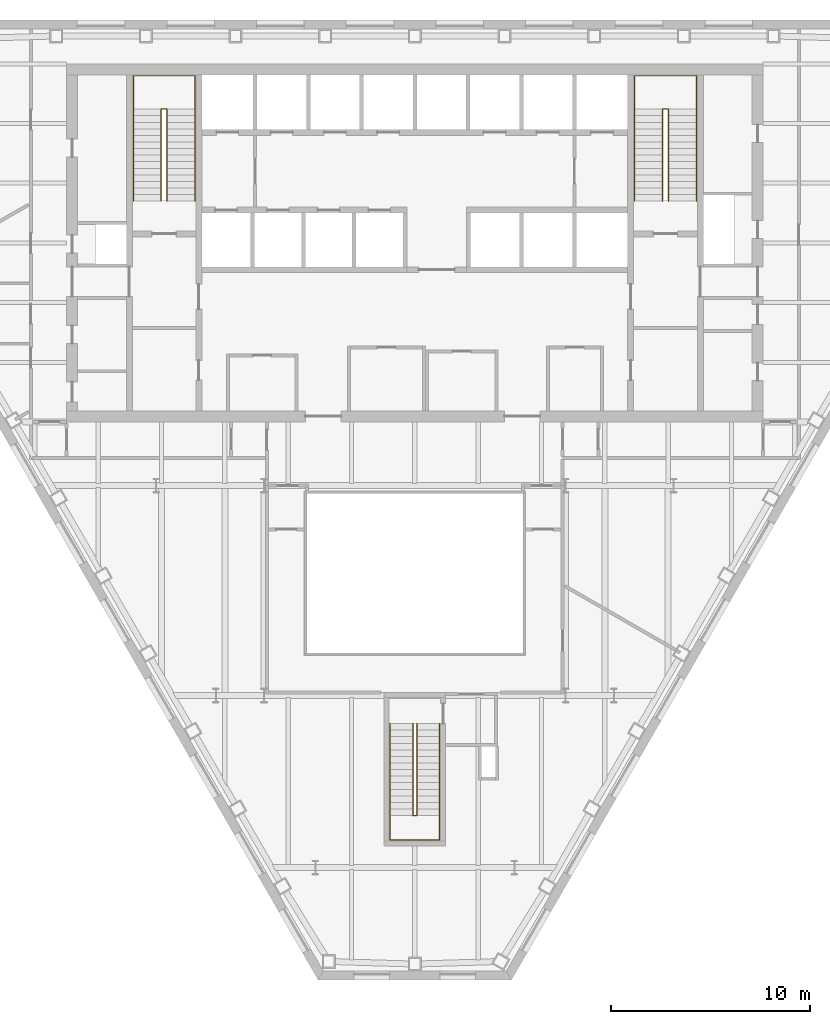
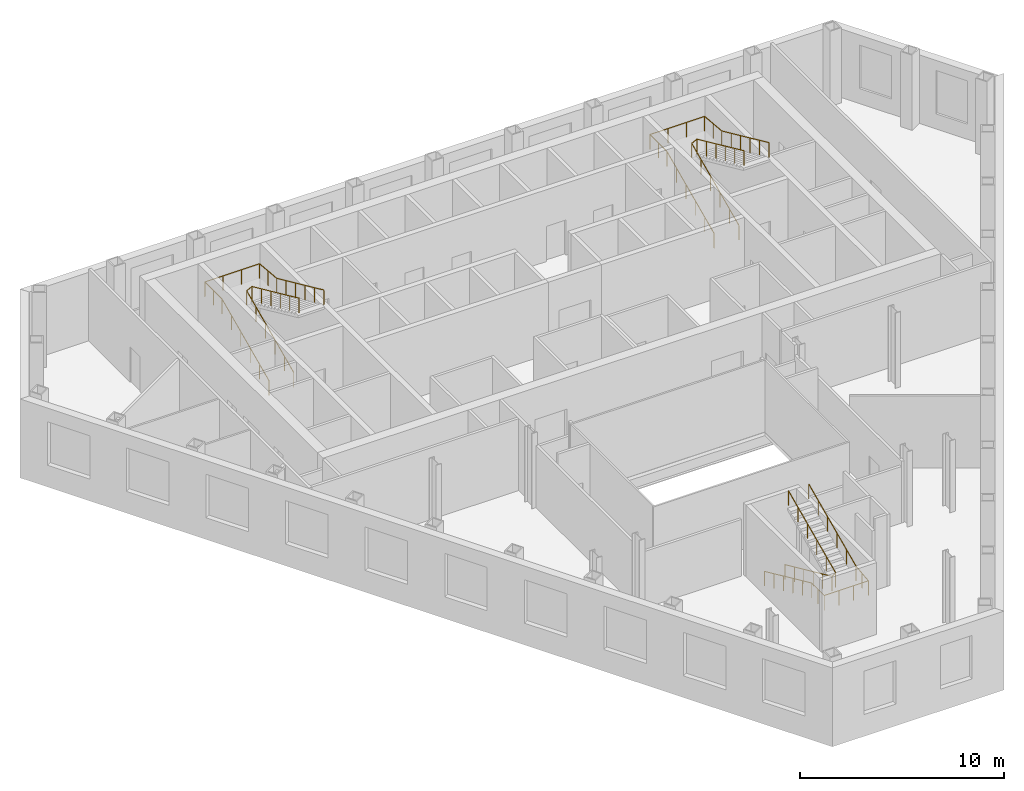
# One storey, part 11 of 11: 6 railings.
"""IFC4 building model written with IfcOpenShell, lengths in metres."""

from ifc_helpers import new_model, si_unit, direction, frame, origin, origin_2d, place, context, subcontext, project, spatial, circle, extrude, material, type_object, element, save


model = new_model("IFC4")

# Units and contexts
model_context = context("Model", 3, precision=1e-05, world=origin(), true_north=direction((0.0, 1.0)))
body_context = subcontext(model_context, "Body", "Model", "MODEL_VIEW")
ifc_project = project(units=[si_unit("LENGTHUNIT", "METRE"), si_unit("AREAUNIT", "SQUARE_METRE"), si_unit("VOLUMEUNIT", "CUBIC_METRE"), si_unit("PLANEANGLEUNIT", "RADIAN"), si_unit("MASSUNIT", "GRAM", prefix="KILO")], contexts=[model_context])

# Site, building, storey
site_placement = place(None, origin())
site = spatial("IfcSite", under=ifc_project, at=site_placement, CompositionType="ELEMENT")
building_placement = place(site_placement, origin())
building = spatial("IfcBuilding", under=site, at=building_placement, Name="Njiva Tower", CompositionType="ELEMENT")
storey_placement = place(building_placement, frame((0.0, 0.0, 120.3)))
storey = spatial("IfcBuildingStorey", under=building, at=storey_placement, Name="L25", CompositionType="ELEMENT", Elevation=120.3)

# Railings
ifc_material = material(Name="Stainless steel", Category="steel")
railing_type = type_object("IfcRailingType", Name="RL1 Stair handrail 900", PredefinedType="HANDRAIL", material=ifc_material)
railing_1_placement = place(storey_placement, frame((-14.15, 11.1, 0.15)))
element("IfcRailing", 1, at=railing_1_placement, inside=storey, type_object=railing_type, Name="Stair A handrail", PredefinedType="HANDRAIL", context=body_context, shape_type="SweptSolid", body=[
    extrude(circle(Radius=0.024, at=origin_2d()), frame((0.0, 0.0, 0.876), z_axis=(0.0, 0.910366477463, 0.413802944301), x_axis=(-1.0, 0.0, 0.0)), (0.0, 0.0, 1.0), 5.0749),
    extrude(circle(Radius=0.024, at=origin_2d()), frame((0.0, 4.62, 2.976), z_axis=(0.0, 1.0, 0.0), x_axis=(-1.0, 0.0, 0.0)), (0.0, 0.0, 1.0), 1.68),
    extrude(circle(Radius=0.024, at=origin_2d()), frame((0.0, 6.3, 2.976), z_axis=(1.0, 0.0, 0.0), x_axis=(0.0, 1.0, 0.0)), (0.0, 0.0, 1.0), 3.1),
    extrude(circle(Radius=0.024, at=origin_2d()), frame((3.1, 6.3, 2.976), z_axis=(0.0, -0.996037705314, 0.088931937975), x_axis=(1.0, 0.0, 0.0)), (0.0, 0.0, 1.0), 1.6867),
    extrude(circle(Radius=0.024, at=origin_2d()), frame((3.1, 4.62, 3.126), z_axis=(0.0, -0.910366477463, 0.413802944301), x_axis=(1.0, 0.0, 0.0)), (0.0, 0.0, 1.0), 5.0749),
    extrude(circle(Radius=0.021, at=origin_2d()), origin(), (0.0, 0.0, 1.0), 0.852),
    extrude(circle(Radius=0.021, at=origin_2d()), frame((0.0, 0.924, 0.42)), (0.0, 0.0, 1.0), 0.852),
    extrude(circle(Radius=0.021, at=origin_2d()), frame((0.0, 1.848, 0.84)), (0.0, 0.0, 1.0), 0.852),
    extrude(circle(Radius=0.021, at=origin_2d()), frame((0.0, 2.772, 1.26)), (0.0, 0.0, 1.0), 0.852),
    extrude(circle(Radius=0.021, at=origin_2d()), frame((0.0, 3.696, 1.68)), (0.0, 0.0, 1.0), 0.852),
    extrude(circle(Radius=0.021, at=origin_2d()), frame((0.0, 4.62, 2.1)), (0.0, 0.0, 1.0), 0.852),
    extrude(circle(Radius=0.021, at=origin_2d()), frame((0.0, 5.46, 2.1)), (0.0, 0.0, 1.0), 0.852),
    extrude(circle(Radius=0.021, at=origin_2d()), frame((0.0, 6.3, 2.1)), (0.0, 0.0, 1.0), 0.852),
    extrude(circle(Radius=0.021, at=origin_2d()), frame((1.0333, 6.3, 2.1)), (0.0, 0.0, 1.0), 0.852),
    extrude(circle(Radius=0.021, at=origin_2d()), frame((2.0667, 6.3, 2.1)), (0.0, 0.0, 1.0), 0.852),
    extrude(circle(Radius=0.021, at=origin_2d()), frame((3.1, 6.3, 2.1)), (0.0, 0.0, 1.0), 0.852),
    extrude(circle(Radius=0.021, at=origin_2d()), frame((3.1, 5.46, 2.175)), (0.0, 0.0, 1.0), 0.852),
    extrude(circle(Radius=0.021, at=origin_2d()), frame((3.1, 4.62, 2.25)), (0.0, 0.0, 1.0), 0.852),
    extrude(circle(Radius=0.021, at=origin_2d()), frame((3.1, 3.696, 2.67)), (0.0, 0.0, 1.0), 0.852),
    extrude(circle(Radius=0.021, at=origin_2d()), frame((3.1, 2.772, 3.09)), (0.0, 0.0, 1.0), 0.852),
    extrude(circle(Radius=0.021, at=origin_2d()), frame((3.1, 1.848, 3.51)), (0.0, 0.0, 1.0), 0.852),
    extrude(circle(Radius=0.021, at=origin_2d()), frame((3.1, 0.924, 3.93)), (0.0, 0.0, 1.0), 0.852),
    extrude(circle(Radius=0.021, at=origin_2d()), frame((3.1, 0.0, 4.35)), (0.0, 0.0, 1.0), 0.852),
])
railing_2_placement = place(storey_placement, frame((-12.75, 11.1, 0.15)))
element("IfcRailing", 2, at=railing_2_placement, inside=storey, type_object=railing_type, Name="Stair A handrail", PredefinedType="HANDRAIL", context=body_context, shape_type="SweptSolid", body=[
    extrude(circle(Radius=0.024, at=origin_2d()), frame((0.0, 0.0, 0.876), z_axis=(0.0, 0.910366477463, 0.413802944301), x_axis=(-1.0, 0.0, 0.0)), (0.0, 0.0, 1.0), 5.0749),
    extrude(circle(Radius=0.024, at=origin_2d()), frame((0.0, 4.62, 2.976), z_axis=(0.894427191, 0.0, 0.4472135955), x_axis=(0.0, 1.0, 0.0)), (0.0, 0.0, 1.0), 0.3354),
    extrude(circle(Radius=0.024, at=origin_2d()), frame((0.3, 4.62, 3.126), z_axis=(0.0, -0.910366477463, 0.413802944301), x_axis=(1.0, 0.0, 0.0)), (0.0, 0.0, 1.0), 5.0749),
    extrude(circle(Radius=0.021, at=origin_2d()), origin(), (0.0, 0.0, 1.0), 0.852),
    extrude(circle(Radius=0.021, at=origin_2d()), frame((0.0, 0.924, 0.42)), (0.0, 0.0, 1.0), 0.852),
    extrude(circle(Radius=0.021, at=origin_2d()), frame((0.0, 1.848, 0.84)), (0.0, 0.0, 1.0), 0.852),
    extrude(circle(Radius=0.021, at=origin_2d()), frame((0.0, 2.772, 1.26)), (0.0, 0.0, 1.0), 0.852),
    extrude(circle(Radius=0.021, at=origin_2d()), frame((0.0, 3.696, 1.68)), (0.0, 0.0, 1.0), 0.852),
    extrude(circle(Radius=0.021, at=origin_2d()), frame((0.0, 4.62, 2.1)), (0.0, 0.0, 1.0), 0.852),
    extrude(circle(Radius=0.021, at=origin_2d()), frame((0.3, 4.62, 2.25)), (0.0, 0.0, 1.0), 0.852),
    extrude(circle(Radius=0.021, at=origin_2d()), frame((0.3, 3.696, 2.67)), (0.0, 0.0, 1.0), 0.852),
    extrude(circle(Radius=0.021, at=origin_2d()), frame((0.3, 2.772, 3.09)), (0.0, 0.0, 1.0), 0.852),
    extrude(circle(Radius=0.021, at=origin_2d()), frame((0.3, 1.848, 3.51)), (0.0, 0.0, 1.0), 0.852),
    extrude(circle(Radius=0.021, at=origin_2d()), frame((0.3, 0.924, 3.93)), (0.0, 0.0, 1.0), 0.852),
    extrude(circle(Radius=0.021, at=origin_2d()), frame((0.3, 0.0, 4.35)), (0.0, 0.0, 1.0), 0.852),
])
railing_3_placement = place(storey_placement, frame((11.05, 11.1, 0.15)))
element("IfcRailing", 3, at=railing_3_placement, inside=storey, type_object=railing_type, Name="Stair B handrail", PredefinedType="HANDRAIL", context=body_context, shape_type="SweptSolid", body=[
    extrude(circle(Radius=0.024, at=origin_2d()), frame((0.0, 0.0, 0.876), z_axis=(0.0, 0.910366477463, 0.413802944301), x_axis=(-1.0, 0.0, 0.0)), (0.0, 0.0, 1.0), 5.0749),
    extrude(circle(Radius=0.024, at=origin_2d()), frame((0.0, 4.62, 2.976), z_axis=(0.0, 1.0, 0.0), x_axis=(-1.0, 0.0, 0.0)), (0.0, 0.0, 1.0), 1.68),
    extrude(circle(Radius=0.024, at=origin_2d()), frame((0.0, 6.3, 2.976), z_axis=(1.0, 0.0, 0.0), x_axis=(0.0, 1.0, 0.0)), (0.0, 0.0, 1.0), 3.1),
    extrude(circle(Radius=0.024, at=origin_2d()), frame((3.1, 6.3, 2.976), z_axis=(0.0, -0.996037705314, 0.088931937975), x_axis=(1.0, 0.0, 0.0)), (0.0, 0.0, 1.0), 1.6867),
    extrude(circle(Radius=0.024, at=origin_2d()), frame((3.1, 4.62, 3.126), z_axis=(0.0, -0.910366477463, 0.413802944301), x_axis=(1.0, 0.0, 0.0)), (0.0, 0.0, 1.0), 5.0749),
    extrude(circle(Radius=0.021, at=origin_2d()), origin(), (0.0, 0.0, 1.0), 0.852),
    extrude(circle(Radius=0.021, at=origin_2d()), frame((0.0, 0.924, 0.42)), (0.0, 0.0, 1.0), 0.852),
    extrude(circle(Radius=0.021, at=origin_2d()), frame((0.0, 1.848, 0.84)), (0.0, 0.0, 1.0), 0.852),
    extrude(circle(Radius=0.021, at=origin_2d()), frame((0.0, 2.772, 1.26)), (0.0, 0.0, 1.0), 0.852),
    extrude(circle(Radius=0.021, at=origin_2d()), frame((0.0, 3.696, 1.68)), (0.0, 0.0, 1.0), 0.852),
    extrude(circle(Radius=0.021, at=origin_2d()), frame((0.0, 4.62, 2.1)), (0.0, 0.0, 1.0), 0.852),
    extrude(circle(Radius=0.021, at=origin_2d()), frame((0.0, 5.46, 2.1)), (0.0, 0.0, 1.0), 0.852),
    extrude(circle(Radius=0.021, at=origin_2d()), frame((0.0, 6.3, 2.1)), (0.0, 0.0, 1.0), 0.852),
    extrude(circle(Radius=0.021, at=origin_2d()), frame((1.0333, 6.3, 2.1)), (0.0, 0.0, 1.0), 0.852),
    extrude(circle(Radius=0.021, at=origin_2d()), frame((2.0667, 6.3, 2.1)), (0.0, 0.0, 1.0), 0.852),
    extrude(circle(Radius=0.021, at=origin_2d()), frame((3.1, 6.3, 2.1)), (0.0, 0.0, 1.0), 0.852),
    extrude(circle(Radius=0.021, at=origin_2d()), frame((3.1, 5.46, 2.175)), (0.0, 0.0, 1.0), 0.852),
    extrude(circle(Radius=0.021, at=origin_2d()), frame((3.1, 4.62, 2.25)), (0.0, 0.0, 1.0), 0.852),
    extrude(circle(Radius=0.021, at=origin_2d()), frame((3.1, 3.696, 2.67)), (0.0, 0.0, 1.0), 0.852),
    extrude(circle(Radius=0.021, at=origin_2d()), frame((3.1, 2.772, 3.09)), (0.0, 0.0, 1.0), 0.852),
    extrude(circle(Radius=0.021, at=origin_2d()), frame((3.1, 1.848, 3.51)), (0.0, 0.0, 1.0), 0.852),
    extrude(circle(Radius=0.021, at=origin_2d()), frame((3.1, 0.924, 3.93)), (0.0, 0.0, 1.0), 0.852),
    extrude(circle(Radius=0.021, at=origin_2d()), frame((3.1, 0.0, 4.35)), (0.0, 0.0, 1.0), 0.852),
])
railing_4_placement = place(storey_placement, frame((12.45, 11.1, 0.15)))
element("IfcRailing", 4, at=railing_4_placement, inside=storey, type_object=railing_type, Name="Stair B handrail", PredefinedType="HANDRAIL", context=body_context, shape_type="SweptSolid", body=[
    extrude(circle(Radius=0.024, at=origin_2d()), frame((0.0, 0.0, 0.876), z_axis=(0.0, 0.910366477463, 0.413802944301), x_axis=(-1.0, 0.0, 0.0)), (0.0, 0.0, 1.0), 5.0749),
    extrude(circle(Radius=0.024, at=origin_2d()), frame((0.0, 4.62, 2.976), z_axis=(0.894427191, 0.0, 0.4472135955), x_axis=(0.0, 1.0, 0.0)), (0.0, 0.0, 1.0), 0.3354),
    extrude(circle(Radius=0.024, at=origin_2d()), frame((0.3, 4.62, 3.126), z_axis=(0.0, -0.910366477463, 0.413802944301), x_axis=(1.0, 0.0, 0.0)), (0.0, 0.0, 1.0), 5.0749),
    extrude(circle(Radius=0.021, at=origin_2d()), origin(), (0.0, 0.0, 1.0), 0.852),
    extrude(circle(Radius=0.021, at=origin_2d()), frame((0.0, 0.924, 0.42)), (0.0, 0.0, 1.0), 0.852),
    extrude(circle(Radius=0.021, at=origin_2d()), frame((0.0, 1.848, 0.84)), (0.0, 0.0, 1.0), 0.852),
    extrude(circle(Radius=0.021, at=origin_2d()), frame((0.0, 2.772, 1.26)), (0.0, 0.0, 1.0), 0.852),
    extrude(circle(Radius=0.021, at=origin_2d()), frame((0.0, 3.696, 1.68)), (0.0, 0.0, 1.0), 0.852),
    extrude(circle(Radius=0.021, at=origin_2d()), frame((0.0, 4.62, 2.1)), (0.0, 0.0, 1.0), 0.852),
    extrude(circle(Radius=0.021, at=origin_2d()), frame((0.3, 4.62, 2.25)), (0.0, 0.0, 1.0), 0.852),
    extrude(circle(Radius=0.021, at=origin_2d()), frame((0.3, 3.696, 2.67)), (0.0, 0.0, 1.0), 0.852),
    extrude(circle(Radius=0.021, at=origin_2d()), frame((0.3, 2.772, 3.09)), (0.0, 0.0, 1.0), 0.852),
    extrude(circle(Radius=0.021, at=origin_2d()), frame((0.3, 1.848, 3.51)), (0.0, 0.0, 1.0), 0.852),
    extrude(circle(Radius=0.021, at=origin_2d()), frame((0.3, 0.924, 3.93)), (0.0, 0.0, 1.0), 0.852),
    extrude(circle(Radius=0.021, at=origin_2d()), frame((0.3, 0.0, 4.35)), (0.0, 0.0, 1.0), 0.852),
])
railing_5_placement = place(storey_placement, frame((-1.25, -15.16, 0.15)))
element("IfcRailing", 5, at=railing_5_placement, inside=storey, type_object=railing_type, Name="Stair C handrail", PredefinedType="HANDRAIL", context=body_context, shape_type="SweptSolid", body=[
    extrude(circle(Radius=0.024, at=origin_2d()), frame((0.0, 0.0, 0.876), z_axis=(0.0, -0.910366477463, 0.413802944301), x_axis=(1.0, 0.0, 0.0)), (0.0, 0.0, 1.0), 5.0749),
    extrude(circle(Radius=0.024, at=origin_2d()), frame((0.0, -4.62, 2.976), z_axis=(0.0, -1.0, 0.0), x_axis=(1.0, 0.0, 0.0)), (0.0, 0.0, 1.0), 1.22),
    extrude(circle(Radius=0.024, at=origin_2d()), frame((0.0, -5.84, 2.976), z_axis=(1.0, 0.0, 0.0), x_axis=(0.0, 1.0, 0.0)), (0.0, 0.0, 1.0), 2.5),
    extrude(circle(Radius=0.024, at=origin_2d()), frame((2.5, -5.84, 2.976), z_axis=(0.0, 0.992526177815, 0.122031907108), x_axis=(-1.0, 0.0, 0.0)), (0.0, 0.0, 1.0), 1.2292),
    extrude(circle(Radius=0.024, at=origin_2d()), frame((2.5, -4.62, 3.126), z_axis=(0.0, 0.910366477463, 0.413802944301), x_axis=(-1.0, 0.0, 0.0)), (0.0, 0.0, 1.0), 5.0749),
    extrude(circle(Radius=0.021, at=origin_2d()), origin(), (0.0, 0.0, 1.0), 0.852),
    extrude(circle(Radius=0.021, at=origin_2d()), frame((0.0, -0.924, 0.42)), (0.0, 0.0, 1.0), 0.852),
    extrude(circle(Radius=0.021, at=origin_2d()), frame((0.0, -1.848, 0.84)), (0.0, 0.0, 1.0), 0.852),
    extrude(circle(Radius=0.021, at=origin_2d()), frame((0.0, -2.772, 1.26)), (0.0, 0.0, 1.0), 0.852),
    extrude(circle(Radius=0.021, at=origin_2d()), frame((0.0, -3.696, 1.68)), (0.0, 0.0, 1.0), 0.852),
    extrude(circle(Radius=0.021, at=origin_2d()), frame((0.0, -4.62, 2.1)), (0.0, 0.0, 1.0), 0.852),
    extrude(circle(Radius=0.021, at=origin_2d()), frame((0.0, -5.23, 2.1)), (0.0, 0.0, 1.0), 0.852),
    extrude(circle(Radius=0.021, at=origin_2d()), frame((0.0, -5.84, 2.1)), (0.0, 0.0, 1.0), 0.852),
    extrude(circle(Radius=0.021, at=origin_2d()), frame((0.8333, -5.84, 2.1)), (0.0, 0.0, 1.0), 0.852),
    extrude(circle(Radius=0.021, at=origin_2d()), frame((1.6667, -5.84, 2.1)), (0.0, 0.0, 1.0), 0.852),
    extrude(circle(Radius=0.021, at=origin_2d()), frame((2.5, -5.84, 2.1)), (0.0, 0.0, 1.0), 0.852),
    extrude(circle(Radius=0.021, at=origin_2d()), frame((2.5, -5.23, 2.175)), (0.0, 0.0, 1.0), 0.852),
    extrude(circle(Radius=0.021, at=origin_2d()), frame((2.5, -4.62, 2.25)), (0.0, 0.0, 1.0), 0.852),
    extrude(circle(Radius=0.021, at=origin_2d()), frame((2.5, -3.696, 2.67)), (0.0, 0.0, 1.0), 0.852),
    extrude(circle(Radius=0.021, at=origin_2d()), frame((2.5, -2.772, 3.09)), (0.0, 0.0, 1.0), 0.852),
    extrude(circle(Radius=0.021, at=origin_2d()), frame((2.5, -1.848, 3.51)), (0.0, 0.0, 1.0), 0.852),
    extrude(circle(Radius=0.021, at=origin_2d()), frame((2.5, -0.924, 3.93)), (0.0, 0.0, 1.0), 0.852),
    extrude(circle(Radius=0.021, at=origin_2d()), frame((2.5, 0.0, 4.35)), (0.0, 0.0, 1.0), 0.852),
])
railing_6_placement = place(storey_placement, frame((-0.1, -15.16, 0.15)))
element("IfcRailing", 6, at=railing_6_placement, inside=storey, type_object=railing_type, Name="Stair C handrail", PredefinedType="HANDRAIL", context=body_context, shape_type="SweptSolid", body=[
    extrude(circle(Radius=0.024, at=origin_2d()), frame((0.0, 0.0, 0.876), z_axis=(0.0, -0.910366477463, 0.413802944301), x_axis=(1.0, 0.0, 0.0)), (0.0, 0.0, 1.0), 5.0749),
    extrude(circle(Radius=0.024, at=origin_2d()), frame((0.0, -4.62, 2.976), z_axis=(0.8, 0.0, 0.6), x_axis=(0.0, 1.0, 0.0)), (0.0, 0.0, 1.0), 0.25),
    extrude(circle(Radius=0.024, at=origin_2d()), frame((0.2, -4.62, 3.126), z_axis=(0.0, 0.910366477463, 0.413802944301), x_axis=(-1.0, 0.0, 0.0)), (0.0, 0.0, 1.0), 5.0749),
    extrude(circle(Radius=0.021, at=origin_2d()), origin(), (0.0, 0.0, 1.0), 0.852),
    extrude(circle(Radius=0.021, at=origin_2d()), frame((0.0, -0.924, 0.42)), (0.0, 0.0, 1.0), 0.852),
    extrude(circle(Radius=0.021, at=origin_2d()), frame((0.0, -1.848, 0.84)), (0.0, 0.0, 1.0), 0.852),
    extrude(circle(Radius=0.021, at=origin_2d()), frame((0.0, -2.772, 1.26)), (0.0, 0.0, 1.0), 0.852),
    extrude(circle(Radius=0.021, at=origin_2d()), frame((0.0, -3.696, 1.68)), (0.0, 0.0, 1.0), 0.852),
    extrude(circle(Radius=0.021, at=origin_2d()), frame((0.0, -4.62, 2.1)), (0.0, 0.0, 1.0), 0.852),
    extrude(circle(Radius=0.021, at=origin_2d()), frame((0.2, -4.62, 2.25)), (0.0, 0.0, 1.0), 0.852),
    extrude(circle(Radius=0.021, at=origin_2d()), frame((0.2, -3.696, 2.67)), (0.0, 0.0, 1.0), 0.852),
    extrude(circle(Radius=0.021, at=origin_2d()), frame((0.2, -2.772, 3.09)), (0.0, 0.0, 1.0), 0.852),
    extrude(circle(Radius=0.021, at=origin_2d()), frame((0.2, -1.848, 3.51)), (0.0, 0.0, 1.0), 0.852),
    extrude(circle(Radius=0.021, at=origin_2d()), frame((0.2, -0.924, 3.93)), (0.0, 0.0, 1.0), 0.852),
    extrude(circle(Radius=0.021, at=origin_2d()), frame((0.2, 0.0, 4.35)), (0.0, 0.0, 1.0), 0.852),
])

save(model, "model.ifc")
